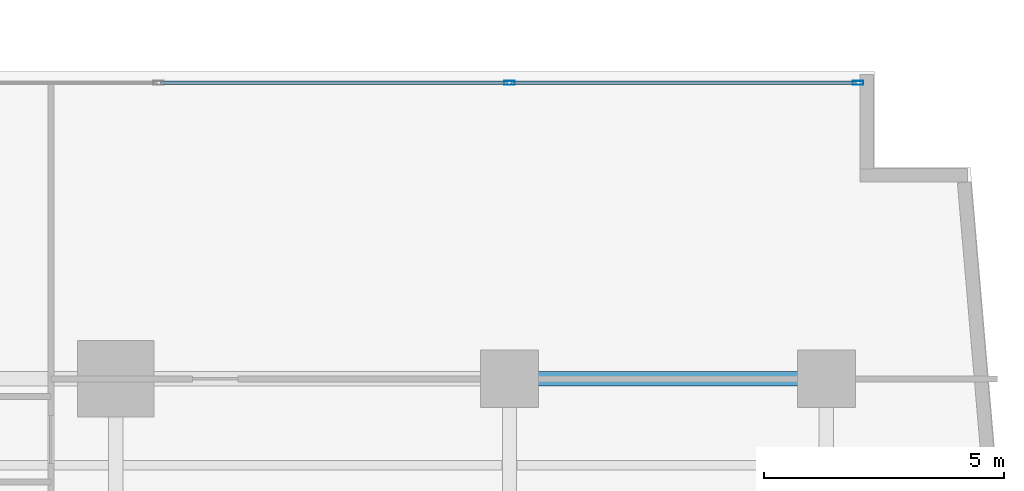
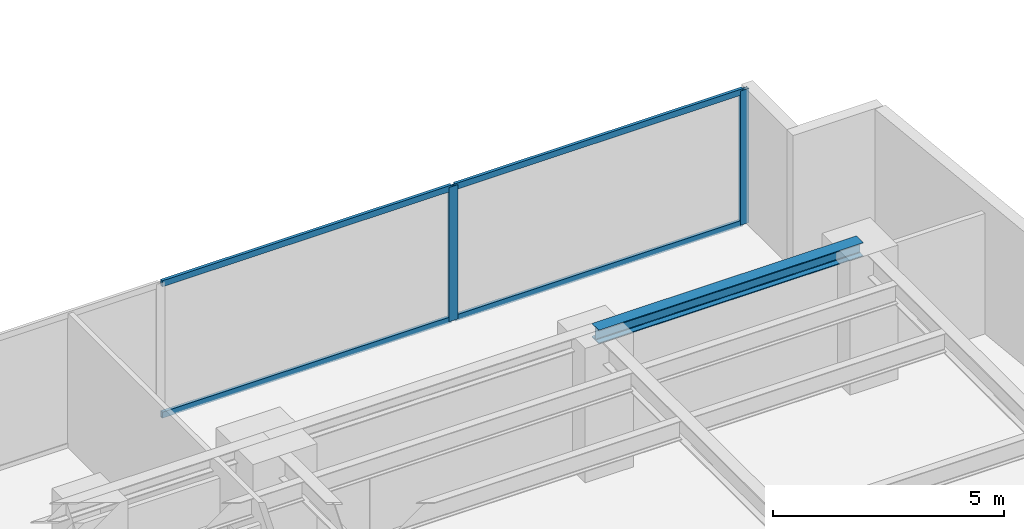
# One storey, part 14 of 28: 6 members, 1 beam, 1 element without a shape of its own.
"""IFC4 building model written with IfcOpenShell, lengths in metres."""

from ifc_helpers import new_model, si_unit, direction, frame, origin, origin_with_axes, origin_2d, place, context, subcontext, project, spatial, hollow_rectangle, i_section, extrude, source, transform, mapped, material, layer, layer_set, material_profile, profile_set, type_object, element, aggregate, save


model = new_model("IFC4")

# Units and contexts
model_context = context("Model", 3, precision=1e-05, world=origin(), true_north=direction((0.0, 1.0)))
body_context = subcontext(model_context, "Body", "Model", "MODEL_VIEW")
ifc_project = project(units=[si_unit("LENGTHUNIT", "METRE"), si_unit("AREAUNIT", "SQUARE_METRE"), si_unit("VOLUMEUNIT", "CUBIC_METRE"), si_unit("PLANEANGLEUNIT", "RADIAN"), si_unit("MASSUNIT", "GRAM", prefix="KILO")], contexts=[model_context])

# Site, building, storey
site_placement = place(None, origin())
site = spatial("IfcSite", under=ifc_project, at=site_placement, CompositionType="ELEMENT")
building_placement = place(site_placement, origin())
building = spatial("IfcBuilding", under=site, at=building_placement, Name="Kolvaren Waterfront Exchange", CompositionType="ELEMENT")
storey_placement = place(building_placement, frame((0.0, 0.0, 41.0)))
storey = spatial("IfcBuildingStorey", under=building, at=storey_placement, Name="L10", CompositionType="ELEMENT", Elevation=41.0)

# Beam
ifc_material_1 = material(Name="Steel S355", Category="steel")
ifc_material_profile_1 = material_profile(ifc_material_1, i_section(OverallWidth=0.300048828125, OverallDepth=0.360107421875, WebThickness=0.012451171875, FlangeThickness=0.0224609375, FilletRadius=0.027099609375, at=origin_2d()), Name="HEB360")
ifc_profile_set_1 = profile_set([ifc_material_profile_1], Name="Steel S355")
beam_type = type_object("IfcBeamType", Name="STR-BM-HEB360", PredefinedType="SPANDREL", material=ifc_profile_set_1)
beam_placement = place(storey_placement, frame((53.800048828125, 17.39990234375, 3.360107421875), z_axis=(1.0, 0.0, 0.0), x_axis=(0.0, 1.0, 0.0)))
element("IfcBeam", 1, at=beam_placement, inside=storey, type_object=beam_type, Name="L10 east-arm spandrel N5", PredefinedType="SPANDREL", context=body_context, shape_type="SweptSolid", body=[
    extrude(i_section(OverallWidth=0.300048828125, OverallDepth=0.360107421875, WebThickness=0.012451171875, FlangeThickness=0.0224609375, FilletRadius=0.027099609375, at=origin_2d()), origin(), (0.0, 0.0, 1.0), 6.599853515625),
])

# Curtain wall, members
ifc_material_2 = material(Name="Anodised bronze aluminium 6063-T6", Category="aluminium")
ifc_layer = layer(ifc_material_2, 0.219970703125, Name="Anodised bronze aluminium 6063-T6")
ifc_layer_set = layer_set([ifc_layer], Name="Anodised bronze aluminium 6063-T6")
curtain_wall_type = type_object("IfcCurtainWallType", Name="ARC-CW-SYS1", PredefinedType="USERDEFINED", material=ifc_layer_set)
curtain_wall_placement = place(storey_placement, origin())
curtain_wall = element("IfcCurtainWall", 2, at=curtain_wall_placement, inside=storey, type_object=curtain_wall_type, Name="L10 stick curtain wall CW1 (CW-L10-EN)", ObjectType="STICK CURTAIN WALL", PredefinedType="USERDEFINED")
ifc_material_3 = material(Name="Anodised aluminium 6063-T6", Category="aluminium")
ifc_material_profile_2 = material_profile(ifc_material_3, hollow_rectangle(XDim=0.074951171875, YDim=0.159912109375, WallThickness=0.00439453125, at=origin_2d()), Name="ALU-TRN-160x75x4.5")
ifc_profile_set_2 = profile_set([ifc_material_profile_2], Name="Anodised aluminium 6063-T6")
member_type_1 = type_object("IfcMemberType", Name="ARC-CWT-160", PredefinedType="USERDEFINED", material=ifc_profile_set_2)
shared_shape_1 = source(origin_with_axes(), body_context, "Body", "SweptSolid", [
    extrude(hollow_rectangle(XDim=0.074951171875, YDim=0.159912109375, WallThickness=0.00439453125, at=origin_2d()), origin(), (0.0, 0.0, 1.0), 7.1826171875),
])
member_1_placement = place(storey_placement, frame((53.83740234375, 23.56005859375, 0.03759765625), z_axis=(1.0, 0.0, 0.0), x_axis=(0.0, 1.0, 0.0)))
member_1 = element("IfcMember", 3, at=member_1_placement, type_object=member_type_1, Name="CW1 transom 4.1", ObjectType="TRANSOM", PredefinedType="USERDEFINED", context=body_context, shape_type="MappedRepresentation", body=[
    mapped(shared_shape_1, transform((0.0, 0.0, 0.0), x_axis=(1.0, 0.0, 0.0), y_axis=(0.0, 1.0, 0.0), z_axis=(0.0, 0.0, 1.0), scale=1.0)),
])
member_2_placement = place(storey_placement, frame((53.83740234375, 23.56005859375, 3.50244140625), z_axis=(1.0, 0.0, 0.0), x_axis=(0.0, 1.0, 0.0)))
member_2 = element("IfcMember", 4, at=member_2_placement, type_object=member_type_1, Name="CW1 transom 4.2", ObjectType="TRANSOM", PredefinedType="USERDEFINED", context=body_context, shape_type="MappedRepresentation", body=[
    mapped(shared_shape_1, transform((0.0, 0.0, 0.0), x_axis=(1.0, 0.0, 0.0), y_axis=(0.0, 1.0, 0.0), z_axis=(0.0, 0.0, 1.0), scale=1.0)),
])
shared_shape_2 = source(origin_with_axes(), body_context, "Body", "SweptSolid", [
    extrude(hollow_rectangle(XDim=0.074951171875, YDim=0.159912109375, WallThickness=0.00439453125, at=origin_2d()), origin(), (0.0, 0.0, 1.0), 7.22265625),
])
member_3_placement = place(storey_placement, frame((46.534912109375, 23.56005859375, 0.03759765625), z_axis=(1.0, 0.0, 0.0), x_axis=(0.0, 1.0, 0.0)))
member_3 = element("IfcMember", 5, at=member_3_placement, type_object=member_type_1, Name="CW1 transom 3.1", ObjectType="TRANSOM", PredefinedType="USERDEFINED", context=body_context, shape_type="MappedRepresentation", body=[
    mapped(shared_shape_2, transform((0.0, 0.0, 0.0), x_axis=(1.0, 0.0, 0.0), y_axis=(0.0, 1.0, 0.0), z_axis=(0.0, 0.0, 1.0), scale=1.0)),
])
member_4_placement = place(storey_placement, frame((46.534912109375, 23.56005859375, 3.50244140625), z_axis=(1.0, 0.0, 0.0), x_axis=(0.0, 1.0, 0.0)))
member_4 = element("IfcMember", 6, at=member_4_placement, type_object=member_type_1, Name="CW1 transom 3.2", ObjectType="TRANSOM", PredefinedType="USERDEFINED", context=body_context, shape_type="MappedRepresentation", body=[
    mapped(shared_shape_2, transform((0.0, 0.0, 0.0), x_axis=(1.0, 0.0, 0.0), y_axis=(0.0, 1.0, 0.0), z_axis=(0.0, 0.0, 1.0), scale=1.0)),
])
ifc_material_profile_3 = material_profile(ifc_material_3, hollow_rectangle(XDim=0.080078125, YDim=0.219970703125, WallThickness=0.0048828125, at=origin_2d()), Name="ALU-MUL-220x80x5")
ifc_profile_set_3 = profile_set([ifc_material_profile_3], Name="Anodised aluminium 6063-T6")
member_type_2 = type_object("IfcMemberType", Name="ARC-CWM-220", PredefinedType="MULLION", material=ifc_profile_set_3)
shared_shape_3 = source(origin_with_axes(), body_context, "Body", "SweptSolid", [
    extrude(hollow_rectangle(XDim=0.080078125, YDim=0.219970703125, WallThickness=0.0048828125, at=origin_2d()), origin(), (0.0, 0.0, 1.0), 3.5400390625),
])
member_5_placement = place(storey_placement, frame((53.797607421875, 23.56005859375, 0.0), z_axis=(0.0, 0.0, 1.0), x_axis=(0.0, 1.0, 0.0)))
member_5 = element("IfcMember", 7, at=member_5_placement, type_object=member_type_2, Name="CW1 mullion 4", PredefinedType="MULLION", context=body_context, shape_type="MappedRepresentation", body=[
    mapped(shared_shape_3, transform((0.0, 0.0, 0.0), x_axis=(1.0, 0.0, 0.0), y_axis=(0.0, 1.0, 0.0), z_axis=(0.0, 0.0, 1.0), scale=1.0)),
])
member_6_placement = place(storey_placement, frame((61.06005859375, 23.56005859375, 0.0), z_axis=(0.0, 0.0, 1.0), x_axis=(0.0, 1.0, 0.0)))
member_6 = element("IfcMember", 8, at=member_6_placement, type_object=member_type_2, Name="CW1 mullion 5", PredefinedType="MULLION", context=body_context, shape_type="MappedRepresentation", body=[
    mapped(shared_shape_3, transform((0.0, 0.0, 0.0), x_axis=(1.0, 0.0, 0.0), y_axis=(0.0, 1.0, 0.0), z_axis=(0.0, 0.0, 1.0), scale=1.0)),
])
aggregate(curtain_wall, [member_5, member_6, member_3, member_4, member_1, member_2])

save(model, "model.ifc")
